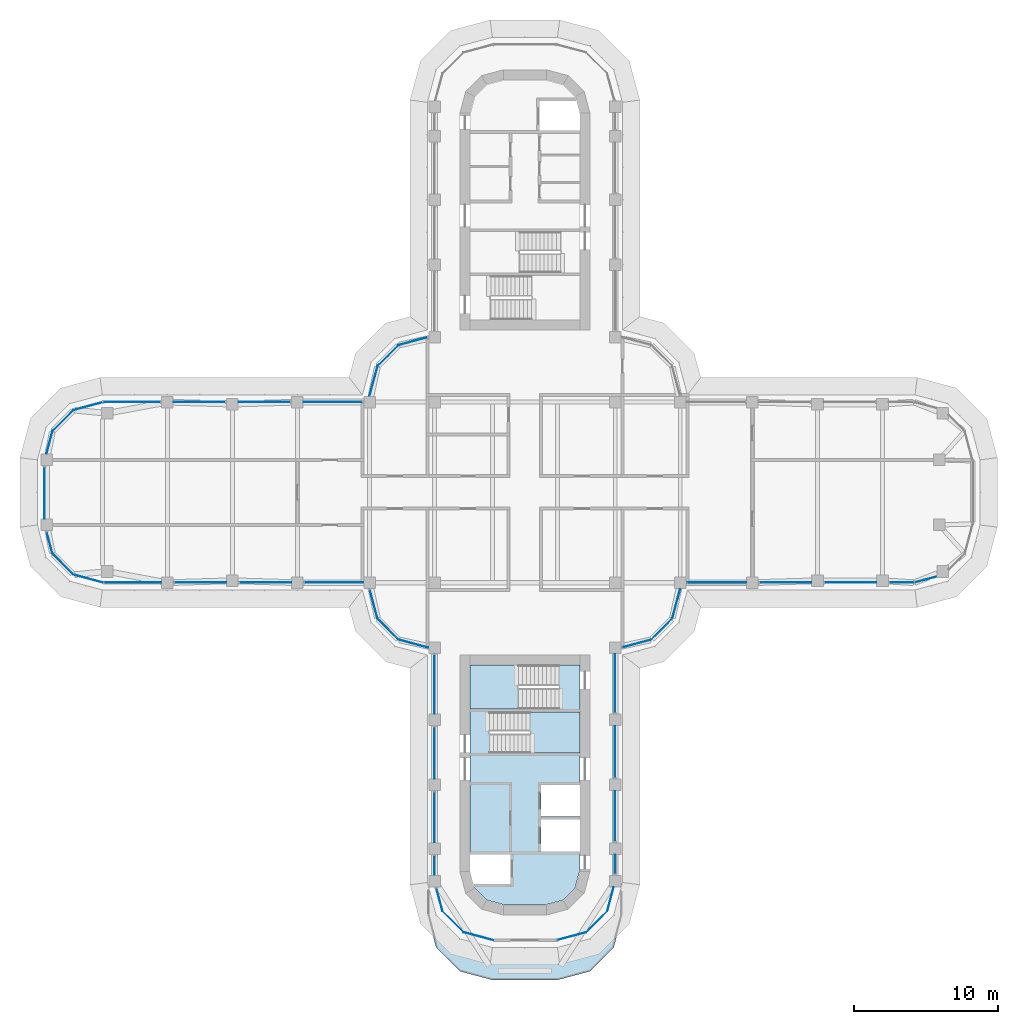
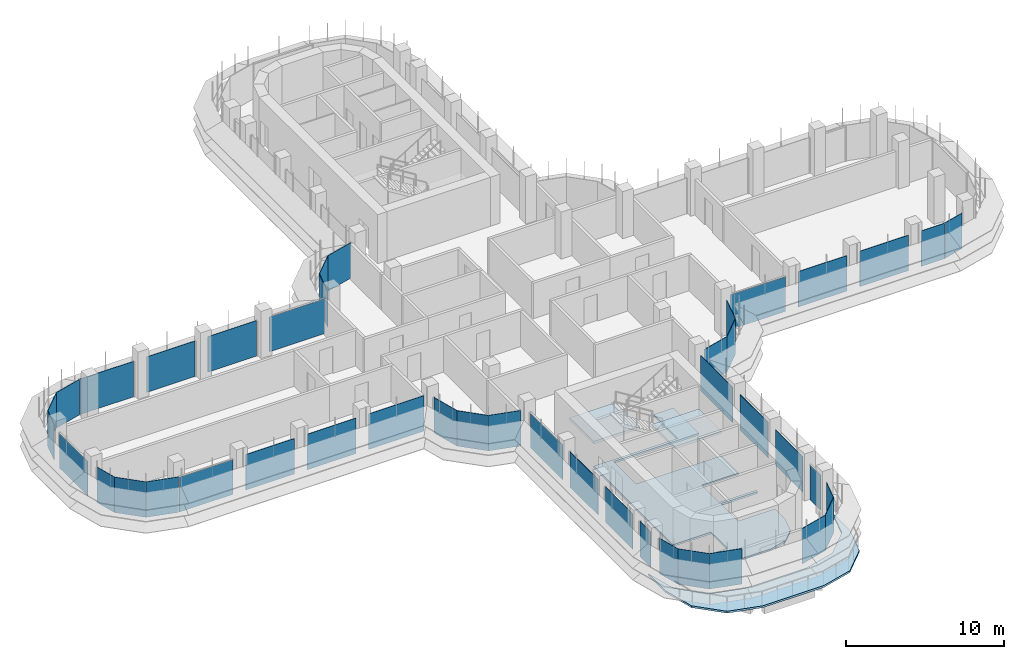
# One storey, part 12 of 20: 43 plates, 4 slabs, 30 elements without a shape of their own.
"""IFC4 building model written with IfcOpenShell, lengths in metres."""

from ifc_helpers import new_model, si_unit, direction, frame, origin, place, context, subcontext, project, spatial, polyline, outline, extrude, source, transform, mapped, material, layer, layer_set, type_object, element, aggregate, save


model = new_model("IFC4")

# Units and contexts
model_context = context("Model", 3, precision=1e-05, world=origin(), true_north=direction((0.0, 1.0)))
body_context = subcontext(model_context, "Body", "Model", "MODEL_VIEW")
ifc_project = project(units=[si_unit("LENGTHUNIT", "METRE"), si_unit("AREAUNIT", "SQUARE_METRE"), si_unit("VOLUMEUNIT", "CUBIC_METRE"), si_unit("PLANEANGLEUNIT", "RADIAN"), si_unit("MASSUNIT", "GRAM", prefix="KILO")], contexts=[model_context])

# Site, building, storey
site_placement = place(None, origin())
site = spatial("IfcSite", under=ifc_project, at=site_placement, CompositionType="ELEMENT")
building_placement = place(site_placement, origin())
building = spatial("IfcBuilding", under=site, at=building_placement, Name="Zarbagh Exchange Tower", CompositionType="ELEMENT")
storey_placement = place(building_placement, frame((0.0, 0.0, 156.199951171875)))
storey = spatial("IfcBuildingStorey", under=building, at=storey_placement, Name="L37", CompositionType="ELEMENT", Elevation=156.199951171875)

# Slab
ifc_material_1 = material(Name="Concrete C40/50", Category="concrete")
ifc_layer_1 = layer(ifc_material_1, 0.14990234375)
ifc_layer_set_1 = layer_set([ifc_layer_1], Name="Core floor slab 150 C40/50")
slab_type_1 = type_object("IfcSlabType", Name="Core floor slab 150 C40/50", PredefinedType="FLOOR", material=ifc_layer_set_1)
slab_1_placement = place(storey_placement, frame((0.0, 0.0, -0.14990234375)))
element("IfcSlab", 1, at=slab_1_placement, inside=storey, type_object=slab_type_1, Name="S17 core S", PredefinedType="FLOOR", context=body_context, shape_type="SweptSolid", body=[
    extrude(outline(polyline([(-2.6376953125, -28.220458984375), (-3.470458984375, -27.3876953125), (-3.800048828125, -26.15771484375), (-3.800048828125, -26.15771484375), (-3.547607421875, -27.10009765625), (-1.0, -27.10009765625), (-1.0, -25.050048828125), (-3.800048828125, -25.050048828125), (-3.800048828125, -15.0), (2.35009765625, -15.0), (2.35009765625, -11.949951171875), (3.800048828125, -11.949951171875), (3.800048828125, -15.199951171875), (-2.449951171875, -15.199951171875), (-2.449951171875, -18.050048828125), (3.800048828125, -18.050048828125), (3.800048828125, -20.25), (1.10009765625, -20.25), (1.10009765625, -22.449951171875), (3.800048828125, -22.449951171875), (3.800048828125, -22.64990234375), (1.10009765625, -22.64990234375), (1.10009765625, -24.85009765625), (3.800048828125, -24.85009765625), (3.800048828125, -26.15771484375), (3.470458984375, -27.3876953125), (2.6376953125, -28.220458984375), (1.40771484375, -28.550048828125), (-1.40771484375, -28.550048828125), (-2.6376953125, -28.220458984375)])), origin(), (0.0, 0.0, 1.0), 0.14990234375),
])

# Stair, slab
stair_type = type_object("IfcStairType", Name="Exit stair two-flight half-turn", PredefinedType="HALF_TURN_STAIR", material=ifc_material_1)
stair_1_placement = place(storey_placement, origin())
stair_1 = element("IfcStair", 2, at=stair_1_placement, inside=storey, type_object=stair_type, Name="exit stair ST3", PredefinedType="HALF_TURN_STAIR")
ifc_layer_2 = layer(ifc_material_1, 0.199951171875)
ifc_layer_set_2 = layer_set([ifc_layer_2], Name="Stair landing 200 mm")
slab_type_2 = type_object("IfcSlabType", Name="Stair landing 200 mm", PredefinedType="LANDING", material=ifc_layer_set_2)
slab_2_placement = place(storey_placement, frame((0.0, 0.0, 1.699951171875)))
slab_2 = element("IfcSlab", 3, at=slab_2_placement, type_object=slab_type_2, Name="ST3 landing 1", PredefinedType="LANDING", context=body_context, shape_type="SweptSolid", body=[
    extrude(outline(polyline([(0.35009765625, -18.050048828125), (3.800048828125, -18.050048828125), (3.800048828125, -15.199951171875), (0.35009765625, -15.199951171875), (0.35009765625, -18.050048828125)])), origin(), (0.0, 0.0, 1.0), 0.2001953125),
])
aggregate(stair_1, [slab_2])

stair_2_placement = place(storey_placement, origin())
stair_2 = element("IfcStair", 4, at=stair_2_placement, inside=storey, type_object=stair_type, Name="exit stair ST4", PredefinedType="HALF_TURN_STAIR")
slab_3_placement = place(storey_placement, frame((0.0, 0.0, 1.699951171875)))
slab_3 = element("IfcSlab", 5, at=slab_3_placement, type_object=slab_type_2, Name="ST4 landing 1", PredefinedType="LANDING", context=body_context, shape_type="SweptSolid", body=[
    extrude(outline(polyline([(-0.449951171875, -11.949951171875), (-3.800048828125, -11.949951171875), (-3.800048828125, -15.0), (-0.449951171875, -15.0), (-0.449951171875, -11.949951171875)])), origin(), (0.0, 0.0, 1.0), 0.2001953125),
])
aggregate(stair_2, [slab_3])

# Slab
ifc_layer_3 = layer(ifc_material_1, 0.14990234375)
ifc_layer_set_3 = layer_set([ifc_layer_3], Name="Step terrace roof slab 150 C40/50")
slab_type_3 = type_object("IfcSlabType", Name="Step terrace roof slab 150 C40/50", PredefinedType="ROOF", material=ifc_layer_set_3)
slab_4_placement = place(storey_placement, frame((0.0, 0.0, -0.14990234375)))
element("IfcSlab", 6, at=slab_4_placement, inside=storey, type_object=slab_type_3, Name="S10 step terrace roof slab", PredefinedType="ROOF", context=body_context, shape_type="SweptSolid", body=[
    extrude(outline(polyline([(-2.25, -33.75), (-4.5, -33.147216796875), (-6.147216796875, -31.5), (-6.75, -29.25), (-6.75, -27.0), (-6.147216796875, -29.25), (-4.5, -30.897216796875), (-2.25, -31.5), (2.25, -31.5), (4.5, -30.897216796875), (6.147216796875, -29.25), (6.75, -27.0), (6.75, -29.25), (6.147216796875, -31.5), (4.5, -33.147216796875), (2.25, -33.75), (-2.25, -33.75)])), origin(), (0.0, 0.0, 1.0), 0.14990234375),
])

# Curtain wall, plate
ifc_material_2 = material(Name="Anodised aluminium frame and glazing", Category="aluminium")
curtain_wall_type = type_object("IfcCurtainWallType", Name="CWB Ribbon glazing, upper zones", PredefinedType="NOTDEFINED", material=ifc_material_2)
curtain_wall_1_placement = place(storey_placement, origin())
curtain_wall_1 = element("IfcCurtainWall", 7, at=curtain_wall_1_placement, inside=storey, type_object=curtain_wall_type, Name="CWB37 curtain wall", PredefinedType="NOTDEFINED")
ifc_material_3 = material(Name="Low-e double glazed unit, 6+12+6 mm")
ifc_layer_4 = layer(ifc_material_3, 0.031982421875)
ifc_layer_set_4 = layer_set([ifc_layer_4], Name="PAB Glazing panel, Low-e double glazed unit, 6+12+6 mm")
plate_type = type_object("IfcPlateType", Name="PAB Glazing panel, Low-e double glazed unit, 6+12+6 mm", PredefinedType="CURTAIN_PANEL", material=ifc_layer_set_4)
shared_shape_1 = source(origin(), body_context, "Body", "SweptSolid", [
    extrude(outline(polyline([(0.0, -0.01611328125), (1.5458984375, -0.01611328125), (1.5458984375, 0.01611328125), (0.0, 0.01611328125), (0.0, -0.01611328125)])), origin(), (0.0, 0.0, 1.0), 2.75),
])
placement = place(storey_placement, origin())
plate_1 = element("IfcPlate", 8, at=placement, type_object=plate_type, Name="CWB37 glazing panel 1.1", PredefinedType="CURTAIN_PANEL", context=body_context, shape_type="MappedRepresentation", body=[
    mapped(shared_shape_1, transform((-33.098876953125, -2.748046875, 0.0), x_axis=(0.258824779902, -0.965924289636, 0.0), y_axis=(0.965924289636, 0.258824779902, 0.0), z_axis=(0.0, 0.0, 1.0))),
])
aggregate(curtain_wall_1, [plate_1])

curtain_wall_2_placement = place(storey_placement, origin())
curtain_wall_2 = element("IfcCurtainWall", 9, at=curtain_wall_2_placement, inside=storey, type_object=curtain_wall_type, Name="CWB50 curtain wall", PredefinedType="NOTDEFINED")
shared_shape_2 = source(origin(), body_context, "Body", "SweptSolid", [
    extrude(outline(polyline([(0.0, -0.01611328125), (2.061279296875, -0.01611328125), (2.061279296875, 0.01611328125), (0.0, 0.01611328125), (0.0, -0.01611328125)])), origin(), (0.0, 0.0, 1.0), 2.75),
])
plate_2 = element("IfcPlate", 10, at=placement, type_object=plate_type, Name="CWB50 glazing panel 1.1", PredefinedType="CURTAIN_PANEL", context=body_context, shape_type="MappedRepresentation", body=[
    mapped(shared_shape_2, transform((4.2412109375, -30.44873046875, 0.0), x_axis=(0.707106781187, 0.707106781187, 0.0), y_axis=(-0.707106781187, 0.707106781187, 0.0), z_axis=(0.0, 0.0, 1.0))),
])
aggregate(curtain_wall_2, [plate_2])

curtain_wall_3_placement = place(storey_placement, origin())
curtain_wall_3 = element("IfcCurtainWall", 11, at=curtain_wall_3_placement, inside=storey, type_object=curtain_wall_type, Name="CWB06 curtain wall", PredefinedType="NOTDEFINED")
plate_3 = element("IfcPlate", 12, at=placement, type_object=plate_type, Name="CWB06 glazing panel 1.1", PredefinedType="CURTAIN_PANEL", context=body_context, shape_type="MappedRepresentation", body=[
    mapped(shared_shape_2, transform((8.7412109375, -10.19873046875, 0.0), x_axis=(0.707106781187, 0.707106781187, 0.0), y_axis=(-0.707106781187, 0.707106781187, 0.0), z_axis=(0.0, 0.0, 1.0))),
])
aggregate(curtain_wall_3, [plate_3])

curtain_wall_4_placement = place(storey_placement, origin())
curtain_wall_4 = element("IfcCurtainWall", 13, at=curtain_wall_4_placement, inside=storey, type_object=curtain_wall_type, Name="CWB30 curtain wall", PredefinedType="NOTDEFINED")
plate_4 = element("IfcPlate", 14, at=placement, type_object=plate_type, Name="CWB30 glazing panel 1.1", PredefinedType="CURTAIN_PANEL", context=body_context, shape_type="MappedRepresentation", body=[
    mapped(shared_shape_2, transform((-8.7412109375, 10.19873046875, 0.0), x_axis=(-0.707106781187, -0.707106781187, 0.0), y_axis=(0.707106781187, -0.707106781187, 0.0), z_axis=(0.0, 0.0, 1.0))),
])
aggregate(curtain_wall_4, [plate_4])

curtain_wall_5_placement = place(storey_placement, origin())
curtain_wall_5 = element("IfcCurtainWall", 15, at=curtain_wall_5_placement, inside=storey, type_object=curtain_wall_type, Name="CWB34 curtain wall", PredefinedType="NOTDEFINED")
plate_5 = element("IfcPlate", 16, at=placement, type_object=plate_type, Name="CWB34 glazing panel 1.1", PredefinedType="CURTAIN_PANEL", context=body_context, shape_type="MappedRepresentation", body=[
    mapped(shared_shape_2, transform((-31.2412109375, 5.69873046875, 0.0), x_axis=(-0.707106781187, -0.707106781187, 0.0), y_axis=(0.707106781187, -0.707106781187, 0.0), z_axis=(0.0, 0.0, 1.0))),
])
aggregate(curtain_wall_5, [plate_5])

curtain_wall_6_placement = place(storey_placement, origin())
curtain_wall_6 = element("IfcCurtainWall", 17, at=curtain_wall_6_placement, inside=storey, type_object=curtain_wall_type, Name="CWB38 curtain wall", PredefinedType="NOTDEFINED")
plate_6 = element("IfcPlate", 18, at=placement, type_object=plate_type, Name="CWB38 glazing panel 1.1", PredefinedType="CURTAIN_PANEL", context=body_context, shape_type="MappedRepresentation", body=[
    mapped(shared_shape_2, transform((-32.69873046875, -4.2412109375, 0.0), x_axis=(0.707106781187, -0.707106781187, 0.0), y_axis=(0.707106781187, 0.707106781187, 0.0), z_axis=(0.0, 0.0, 1.0))),
])
aggregate(curtain_wall_6, [plate_6])

curtain_wall_7_placement = place(storey_placement, origin())
curtain_wall_7 = element("IfcCurtainWall", 19, at=curtain_wall_7_placement, inside=storey, type_object=curtain_wall_type, Name="CWB42 curtain wall", PredefinedType="NOTDEFINED")
plate_7 = element("IfcPlate", 20, at=placement, type_object=plate_type, Name="CWB42 glazing panel 1.1", PredefinedType="CURTAIN_PANEL", context=body_context, shape_type="MappedRepresentation", body=[
    mapped(shared_shape_2, transform((-10.19873046875, -8.7412109375, 0.0), x_axis=(0.707106781187, -0.707106781187, 0.0), y_axis=(0.707106781187, 0.707106781187, 0.0), z_axis=(0.0, 0.0, 1.0))),
])
aggregate(curtain_wall_7, [plate_7])

curtain_wall_8_placement = place(storey_placement, origin())
curtain_wall_8 = element("IfcCurtainWall", 21, at=curtain_wall_8_placement, inside=storey, type_object=curtain_wall_type, Name="CWB55 curtain wall", PredefinedType="NOTDEFINED")
plate_8 = element("IfcPlate", 22, at=placement, type_object=plate_type, Name="CWB55 glazing panel 1.1", PredefinedType="CURTAIN_PANEL", context=body_context, shape_type="MappedRepresentation", body=[
    mapped(shared_shape_2, transform((-5.69873046875, -28.9912109375, 0.0), x_axis=(0.707106781187, -0.707106781187, 0.0), y_axis=(0.707106781187, 0.707106781187, 0.0), z_axis=(0.0, 0.0, 1.0))),
])
aggregate(curtain_wall_8, [plate_8])

curtain_wall_9_placement = place(storey_placement, origin())
curtain_wall_9 = element("IfcCurtainWall", 23, at=curtain_wall_9_placement, inside=storey, type_object=curtain_wall_type, Name="CWB39 curtain wall", PredefinedType="NOTDEFINED")
shared_shape_3 = source(origin(), body_context, "Body", "SweptSolid", [
    extrude(outline(polyline([(0.0, -0.01611328125), (2.129638671875, -0.01611328125), (2.129638671875, 0.01611328125), (0.0, 0.01611328125), (0.0, -0.01611328125)])), origin(), (0.0, 0.0, 1.0), 2.75),
])
plate_9 = element("IfcPlate", 24, at=placement, type_object=plate_type, Name="CWB39 glazing panel 1.1", PredefinedType="CURTAIN_PANEL", context=body_context, shape_type="MappedRepresentation", body=[
    mapped(shared_shape_3, transform((-31.2412109375, -5.69873046875, 0.0), x_axis=(0.965924289636, -0.258824779902, 0.0), y_axis=(0.258824779902, 0.965924289636, 0.0), z_axis=(0.0, 0.0, 1.0))),
])
aggregate(curtain_wall_9, [plate_9])

curtain_wall_10_placement = place(storey_placement, origin())
curtain_wall_10 = element("IfcCurtainWall", 25, at=curtain_wall_10_placement, inside=storey, type_object=curtain_wall_type, Name="CWB56 curtain wall", PredefinedType="NOTDEFINED")
plate_10 = element("IfcPlate", 26, at=placement, type_object=plate_type, Name="CWB56 glazing panel 1.1", PredefinedType="CURTAIN_PANEL", context=body_context, shape_type="MappedRepresentation", body=[
    mapped(shared_shape_3, transform((-4.2412109375, -30.44873046875, 0.0), x_axis=(0.965924289636, -0.258824779902, 0.0), y_axis=(0.258824779902, 0.965924289636, 0.0), z_axis=(0.0, 0.0, 1.0))),
])
aggregate(curtain_wall_10, [plate_10])

curtain_wall_11_placement = place(storey_placement, origin())
curtain_wall_11 = element("IfcCurtainWall", 27, at=curtain_wall_11_placement, inside=storey, type_object=curtain_wall_type, Name="CWB53 curtain wall", PredefinedType="NOTDEFINED")
shared_shape_4 = source(origin(), body_context, "Body", "SweptSolid", [
    extrude(outline(polyline([(0.0, -0.01611328125), (1.31005859375, -0.01611328125), (1.31005859375, 0.01611328125), (0.0, 0.01611328125), (0.0, -0.01611328125)])), origin(), (0.0, 0.0, 1.0), 2.75),
])
plate_11 = element("IfcPlate", 28, at=placement, type_object=plate_type, Name="CWB53 glazing panel 4.1", PredefinedType="CURTAIN_PANEL", context=body_context, shape_type="MappedRepresentation", body=[
    mapped(shared_shape_4, transform((-6.25, -25.150146484375, 0.0), x_axis=(0.0, -1.0, 0.0), y_axis=(1.0, 0.0, 0.0), z_axis=(0.0, 0.0, 1.0))),
])

curtain_wall_12_placement = place(storey_placement, origin())
curtain_wall_12 = element("IfcCurtainWall", 29, at=curtain_wall_12_placement, inside=storey, type_object=curtain_wall_type, Name="CWB52 curtain wall", PredefinedType="NOTDEFINED")
shared_shape_5 = source(origin(), body_context, "Body", "SweptSolid", [
    extrude(outline(polyline([(0.0, -0.01611328125), (3.4599609375, -0.01611328125), (3.4599609375, 0.01611328125), (0.0, 0.01611328125), (0.0, -0.01611328125)])), origin(), (0.0, 0.0, 1.0), 2.75),
])
plate_12 = element("IfcPlate", 30, at=placement, type_object=plate_type, Name="CWB52 glazing panel 2.1", PredefinedType="CURTAIN_PANEL", context=body_context, shape_type="MappedRepresentation", body=[
    mapped(shared_shape_5, transform((6.25, -24.14990234375, 0.0), x_axis=(0.0, 1.0, 0.0), y_axis=(-1.0, 0.0, 0.0), z_axis=(0.0, 0.0, 1.0))),
])

# Plate
plate_13 = element("IfcPlate", 31, at=placement, type_object=plate_type, Name="CWB53 glazing panel 3.1", PredefinedType="CURTAIN_PANEL", context=body_context, shape_type="MappedRepresentation", body=[
    mapped(shared_shape_5, transform((-6.25, -20.75, 0.0), x_axis=(0.0, -1.0, 0.0), y_axis=(1.0, 0.0, 0.0), z_axis=(0.0, 0.0, 1.0))),
])

shared_shape_6 = source(origin(), body_context, "Body", "SweptSolid", [
    extrude(outline(polyline([(0.0, -0.01611328125), (3.56005859375, -0.01611328125), (3.56005859375, 0.01611328125), (0.0, 0.01611328125), (0.0, -0.01611328125)])), origin(), (0.0, 0.0, 1.0), 2.75),
])
plate_14 = element("IfcPlate", 32, at=placement, type_object=plate_type, Name="CWB52 glazing panel 3.1", PredefinedType="CURTAIN_PANEL", context=body_context, shape_type="MappedRepresentation", body=[
    mapped(shared_shape_6, transform((6.25, -19.75, 0.0), x_axis=(0.0, 1.0, 0.0), y_axis=(-1.0, 0.0, 0.0), z_axis=(0.0, 0.0, 1.0))),
])

# Curtain wall, plates
curtain_wall_13_placement = place(storey_placement, origin())
curtain_wall_13 = element("IfcCurtainWall", 33, at=curtain_wall_13_placement, inside=storey, type_object=curtain_wall_type, Name="CWB08 curtain wall", PredefinedType="NOTDEFINED")
plate_15 = element("IfcPlate", 34, at=placement, type_object=plate_type, Name="CWB08 glazing panel 2.1", PredefinedType="CURTAIN_PANEL", context=body_context, shape_type="MappedRepresentation", body=[
    mapped(shared_shape_6, transform((16.25, -6.25, 0.0), x_axis=(1.0, 0.0, 0.0), y_axis=(0.0, 1.0, 0.0), z_axis=(0.0, 0.0, 1.0))),
])
plate_16 = element("IfcPlate", 35, at=placement, type_object=plate_type, Name="CWB08 glazing panel 3.1", PredefinedType="CURTAIN_PANEL", context=body_context, shape_type="MappedRepresentation", body=[
    mapped(shared_shape_6, transform((20.75, -6.25, 0.0), x_axis=(1.0, 0.0, 0.0), y_axis=(0.0, 1.0, 0.0), z_axis=(0.0, 0.0, 1.0))),
])

curtain_wall_14_placement = place(storey_placement, origin())
curtain_wall_14 = element("IfcCurtainWall", 36, at=curtain_wall_14_placement, inside=storey, type_object=curtain_wall_type, Name="CWB32 curtain wall", PredefinedType="NOTDEFINED")
plate_17 = element("IfcPlate", 37, at=placement, type_object=plate_type, Name="CWB32 glazing panel 2.1", PredefinedType="CURTAIN_PANEL", context=body_context, shape_type="MappedRepresentation", body=[
    mapped(shared_shape_6, transform((-16.25, 6.25, 0.0), x_axis=(-1.0, 0.0, 0.0), y_axis=(0.0, -1.0, 0.0), z_axis=(0.0, 0.0, 1.0))),
])
plate_18 = element("IfcPlate", 38, at=placement, type_object=plate_type, Name="CWB32 glazing panel 3.1", PredefinedType="CURTAIN_PANEL", context=body_context, shape_type="MappedRepresentation", body=[
    mapped(shared_shape_6, transform((-20.75, 6.25, 0.0), x_axis=(-1.0, 0.0, 0.0), y_axis=(0.0, -1.0, 0.0), z_axis=(0.0, 0.0, 1.0))),
])

curtain_wall_15_placement = place(storey_placement, origin())
curtain_wall_15 = element("IfcCurtainWall", 39, at=curtain_wall_15_placement, inside=storey, type_object=curtain_wall_type, Name="CWB40 curtain wall", PredefinedType="NOTDEFINED")
plate_19 = element("IfcPlate", 40, at=placement, type_object=plate_type, Name="CWB40 glazing panel 2.1", PredefinedType="CURTAIN_PANEL", context=body_context, shape_type="MappedRepresentation", body=[
    mapped(shared_shape_6, transform((-24.25, -6.25, 0.0), x_axis=(1.0, 0.0, 0.0), y_axis=(0.0, 1.0, 0.0), z_axis=(0.0, 0.0, 1.0))),
])
plate_20 = element("IfcPlate", 41, at=placement, type_object=plate_type, Name="CWB40 glazing panel 3.1", PredefinedType="CURTAIN_PANEL", context=body_context, shape_type="MappedRepresentation", body=[
    mapped(shared_shape_6, transform((-19.75, -6.25, 0.0), x_axis=(1.0, 0.0, 0.0), y_axis=(0.0, 1.0, 0.0), z_axis=(0.0, 0.0, 1.0))),
])

# Plate
plate_21 = element("IfcPlate", 42, at=placement, type_object=plate_type, Name="CWB53 glazing panel 2.1", PredefinedType="CURTAIN_PANEL", context=body_context, shape_type="MappedRepresentation", body=[
    mapped(shared_shape_6, transform((-6.25, -16.25, 0.0), x_axis=(0.0, -1.0, 0.0), y_axis=(1.0, 0.0, 0.0), z_axis=(0.0, 0.0, 1.0))),
])

shared_shape_7 = source(origin(), body_context, "Body", "SweptSolid", [
    extrude(outline(polyline([(0.0, -0.01611328125), (4.06005859375, -0.01611328125), (4.06005859375, 0.01611328125), (0.0, 0.01611328125), (0.0, -0.01611328125)])), origin(), (0.0, 0.0, 1.0), 2.75),
])
plate_22 = element("IfcPlate", 43, at=placement, type_object=plate_type, Name="CWB52 glazing panel 4.1", PredefinedType="CURTAIN_PANEL", context=body_context, shape_type="MappedRepresentation", body=[
    mapped(shared_shape_7, transform((6.25, -15.25, 0.0), x_axis=(0.0, 1.0, 0.0), y_axis=(-1.0, 0.0, 0.0), z_axis=(0.0, 0.0, 1.0))),
])

plate_23 = element("IfcPlate", 44, at=placement, type_object=plate_type, Name="CWB40 glazing panel 4.1", PredefinedType="CURTAIN_PANEL", context=body_context, shape_type="MappedRepresentation", body=[
    mapped(shared_shape_7, transform((-15.25, -6.25, 0.0), x_axis=(1.0, 0.0, 0.0), y_axis=(0.0, 1.0, 0.0), z_axis=(0.0, 0.0, 1.0))),
])

# Curtain wall, plate
curtain_wall_16_placement = place(storey_placement, origin())
curtain_wall_16 = element("IfcCurtainWall", 45, at=curtain_wall_16_placement, inside=storey, type_object=curtain_wall_type, Name="CWB05 curtain wall", PredefinedType="NOTDEFINED")
shared_shape_8 = source(origin(), body_context, "Body", "SweptSolid", [
    extrude(outline(polyline([(0.0, -0.01611328125), (2.063720703125, -0.01611328125), (2.063720703125, 0.01611328125), (0.0, 0.01611328125), (0.0, -0.01611328125)])), origin(), (0.0, 0.0, 1.0), 2.75),
])
plate_24 = element("IfcPlate", 46, at=placement, type_object=plate_type, Name="CWB05 glazing panel 1.1", PredefinedType="CURTAIN_PANEL", context=body_context, shape_type="MappedRepresentation", body=[
    mapped(shared_shape_8, transform((6.748046875, -10.73291015625, 0.0), x_axis=(0.965924289636, 0.258824779902, 0.0), y_axis=(-0.258824779902, 0.965924289636, 0.0), z_axis=(0.0, 0.0, 1.0))),
])
aggregate(curtain_wall_16, [plate_24])

curtain_wall_17_placement = place(storey_placement, origin())
curtain_wall_17 = element("IfcCurtainWall", 47, at=curtain_wall_17_placement, inside=storey, type_object=curtain_wall_type, Name="CWB29 curtain wall", PredefinedType="NOTDEFINED")
plate_25 = element("IfcPlate", 48, at=placement, type_object=plate_type, Name="CWB29 glazing panel 1.1", PredefinedType="CURTAIN_PANEL", context=body_context, shape_type="MappedRepresentation", body=[
    mapped(shared_shape_8, transform((-6.748046875, 10.73291015625, 0.0), x_axis=(-0.965924289636, -0.258824779902, 0.0), y_axis=(0.258824779902, -0.965924289636, 0.0), z_axis=(0.0, 0.0, 1.0))),
])
aggregate(curtain_wall_17, [plate_25])

curtain_wall_18_placement = place(storey_placement, origin())
curtain_wall_18 = element("IfcCurtainWall", 49, at=curtain_wall_18_placement, inside=storey, type_object=curtain_wall_type, Name="CWB41 curtain wall", PredefinedType="NOTDEFINED")
plate_26 = element("IfcPlate", 50, at=placement, type_object=plate_type, Name="CWB41 glazing panel 1.1", PredefinedType="CURTAIN_PANEL", context=body_context, shape_type="MappedRepresentation", body=[
    mapped(shared_shape_8, transform((-10.73291015625, -6.748046875, 0.0), x_axis=(0.258824779902, -0.965924289636, 0.0), y_axis=(0.965924289636, 0.258824779902, 0.0), z_axis=(0.0, 0.0, 1.0))),
])
aggregate(curtain_wall_18, [plate_26])

curtain_wall_19_placement = place(storey_placement, origin())
curtain_wall_19 = element("IfcCurtainWall", 51, at=curtain_wall_19_placement, inside=storey, type_object=curtain_wall_type, Name="CWB07 curtain wall", PredefinedType="NOTDEFINED")
shared_shape_9 = source(origin(), body_context, "Body", "SweptSolid", [
    extrude(outline(polyline([(0.0, -0.01611328125), (2.12353515625, -0.01611328125), (2.12353515625, 0.01611328125), (0.0, 0.01611328125), (0.0, -0.01611328125)])), origin(), (0.0, 0.0, 1.0), 2.75),
])
plate_27 = element("IfcPlate", 52, at=placement, type_object=plate_type, Name="CWB07 glazing panel 1.1", PredefinedType="CURTAIN_PANEL", context=body_context, shape_type="MappedRepresentation", body=[
    mapped(shared_shape_9, transform((10.19873046875, -8.7412109375, 0.0), x_axis=(0.258824779902, 0.965924289636, 0.0), y_axis=(-0.965924289636, 0.258824779902, 0.0), z_axis=(0.0, 0.0, 1.0))),
])
aggregate(curtain_wall_19, [plate_27])

curtain_wall_20_placement = place(storey_placement, origin())
curtain_wall_20 = element("IfcCurtainWall", 53, at=curtain_wall_20_placement, inside=storey, type_object=curtain_wall_type, Name="CWB31 curtain wall", PredefinedType="NOTDEFINED")
plate_28 = element("IfcPlate", 54, at=placement, type_object=plate_type, Name="CWB31 glazing panel 1.1", PredefinedType="CURTAIN_PANEL", context=body_context, shape_type="MappedRepresentation", body=[
    mapped(shared_shape_9, transform((-10.19873046875, 8.7412109375, 0.0), x_axis=(-0.258824779902, -0.965924289636, 0.0), y_axis=(0.965924289636, -0.258824779902, 0.0), z_axis=(0.0, 0.0, 1.0))),
])
aggregate(curtain_wall_20, [plate_28])

curtain_wall_21_placement = place(storey_placement, origin())
curtain_wall_21 = element("IfcCurtainWall", 55, at=curtain_wall_21_placement, inside=storey, type_object=curtain_wall_type, Name="CWB43 curtain wall", PredefinedType="NOTDEFINED")
plate_29 = element("IfcPlate", 56, at=placement, type_object=plate_type, Name="CWB43 glazing panel 1.1", PredefinedType="CURTAIN_PANEL", context=body_context, shape_type="MappedRepresentation", body=[
    mapped(shared_shape_9, transform((-8.7412109375, -10.19873046875, 0.0), x_axis=(0.965924289636, -0.258824779902, 0.0), y_axis=(0.258824779902, 0.965924289636, 0.0), z_axis=(0.0, 0.0, 1.0))),
])
aggregate(curtain_wall_21, [plate_29])

# Plate
shared_shape_10 = source(origin(), body_context, "Body", "SweptSolid", [
    extrude(outline(polyline([(0.0, -0.01611328125), (4.06005859375, -0.01611328125), (4.06005859375, 0.01611328125), (0.0, 0.01611328125), (0.0, -0.01611328125)])), origin(), (0.0, 0.0, 1.0), 2.68994140625),
])
plate_30 = element("IfcPlate", 57, at=placement, type_object=plate_type, Name="CWB08 glazing panel 1.1", PredefinedType="CURTAIN_PANEL", context=body_context, shape_type="MappedRepresentation", body=[
    mapped(shared_shape_10, transform((11.25, -6.25, 0.0), x_axis=(1.0, 0.0, 0.0), y_axis=(0.0, 1.0, 0.0), z_axis=(0.0, 0.0, 1.0))),
])

plate_31 = element("IfcPlate", 58, at=placement, type_object=plate_type, Name="CWB32 glazing panel 1.1", PredefinedType="CURTAIN_PANEL", context=body_context, shape_type="MappedRepresentation", body=[
    mapped(shared_shape_10, transform((-11.25, 6.25, 0.0), x_axis=(-1.0, 0.0, 0.0), y_axis=(0.0, -1.0, 0.0), z_axis=(0.0, 0.0, 1.0))),
])

plate_32 = element("IfcPlate", 59, at=placement, type_object=plate_type, Name="CWB53 glazing panel 1.1", PredefinedType="CURTAIN_PANEL", context=body_context, shape_type="MappedRepresentation", body=[
    mapped(shared_shape_10, transform((-6.25, -11.25, 0.0), x_axis=(0.0, -1.0, 0.0), y_axis=(1.0, 0.0, 0.0), z_axis=(0.0, 0.0, 1.0))),
])

aggregate(curtain_wall_11, [plate_32, plate_21, plate_13, plate_11])

shared_shape_11 = source(origin(), body_context, "Body", "SweptSolid", [
    extrude(outline(polyline([(0.0, -0.01611328125), (1.68408203125, -0.01611328125), (1.68408203125, 0.01611328125), (0.0, 0.01611328125), (0.0, -0.01611328125)])), origin(), (0.0, 0.0, 1.0), 2.75),
])
plate_33 = element("IfcPlate", 60, at=placement, type_object=plate_type, Name="CWB08 glazing panel 4.1", PredefinedType="CURTAIN_PANEL", context=body_context, shape_type="MappedRepresentation", body=[
    mapped(shared_shape_11, transform((25.25, -6.25, 0.0), x_axis=(1.0, 0.0, 0.0), y_axis=(0.0, 1.0, 0.0), z_axis=(0.0, 0.0, 1.0))),
])

aggregate(curtain_wall_13, [plate_30, plate_15, plate_16, plate_33])

# Curtain wall, plate
curtain_wall_22_placement = place(storey_placement, origin())
curtain_wall_22 = element("IfcCurtainWall", 61, at=curtain_wall_22_placement, inside=storey, type_object=curtain_wall_type, Name="CWB09 curtain wall", PredefinedType="NOTDEFINED")
shared_shape_12 = source(origin(), body_context, "Body", "SweptSolid", [
    extrude(outline(polyline([(0.0, -0.01611328125), (1.52783203125, -0.01611328125), (1.52783203125, 0.01611328125), (0.0, 0.01611328125), (0.0, -0.01611328125)])), origin(), (0.0, 0.0, 1.0), 2.75),
])
plate_34 = element("IfcPlate", 62, at=placement, type_object=plate_type, Name="CWB09 glazing panel 1.1", PredefinedType="CURTAIN_PANEL", context=body_context, shape_type="MappedRepresentation", body=[
    mapped(shared_shape_12, transform((26.9921875, -6.234375, 0.0), x_axis=(0.965924289636, 0.258824779902, 0.0), y_axis=(-0.258824779902, 0.965924289636, 0.0), z_axis=(0.0, 0.0, 1.0))),
])
aggregate(curtain_wall_22, [plate_34])

curtain_wall_23_placement = place(storey_placement, origin())
curtain_wall_23 = element("IfcCurtainWall", 63, at=curtain_wall_23_placement, inside=storey, type_object=curtain_wall_type, Name="CWB49 curtain wall", PredefinedType="NOTDEFINED")
shared_shape_13 = source(origin(), body_context, "Body", "SweptSolid", [
    extrude(outline(polyline([(0.0, -0.01611328125), (2.069580078125, -0.01611328125), (2.069580078125, 0.01611328125), (0.0, 0.01611328125), (0.0, -0.01611328125)])), origin(), (0.0, 0.0, 1.0), 2.75),
])
plate_35 = element("IfcPlate", 64, at=placement, type_object=plate_type, Name="CWB49 glazing panel 1.1", PredefinedType="CURTAIN_PANEL", context=body_context, shape_type="MappedRepresentation", body=[
    mapped(shared_shape_13, transform((2.2421875, -30.984375, 0.0), x_axis=(0.965924289636, 0.258824779902, 0.0), y_axis=(-0.258824779902, 0.965924289636, 0.0), z_axis=(0.0, 0.0, 1.0))),
])
aggregate(curtain_wall_23, [plate_35])

curtain_wall_24_placement = place(storey_placement, origin())
curtain_wall_24 = element("IfcCurtainWall", 65, at=curtain_wall_24_placement, inside=storey, type_object=curtain_wall_type, Name="CWB33 curtain wall", PredefinedType="NOTDEFINED")
plate_36 = element("IfcPlate", 66, at=placement, type_object=plate_type, Name="CWB33 glazing panel 1.1", PredefinedType="CURTAIN_PANEL", context=body_context, shape_type="MappedRepresentation", body=[
    mapped(shared_shape_13, transform((-29.2421875, 6.234375, 0.0), x_axis=(-0.965924289636, -0.258824779902, 0.0), y_axis=(0.258824779902, -0.965924289636, 0.0), z_axis=(0.0, 0.0, 1.0))),
])
aggregate(curtain_wall_24, [plate_36])

# Plate
shared_shape_14 = source(origin(), body_context, "Body", "SweptSolid", [
    extrude(outline(polyline([(0.0, -0.01611328125), (3.93408203125, -0.01611328125), (3.93408203125, 0.01611328125), (0.0, 0.01611328125), (0.0, -0.01611328125)])), origin(), (0.0, 0.0, 1.0), 2.75),
])
plate_37 = element("IfcPlate", 67, at=placement, type_object=plate_type, Name="CWB32 glazing panel 4.1", PredefinedType="CURTAIN_PANEL", context=body_context, shape_type="MappedRepresentation", body=[
    mapped(shared_shape_14, transform((-25.25, 6.25, 0.0), x_axis=(-1.0, 0.0, 0.0), y_axis=(0.0, -1.0, 0.0), z_axis=(0.0, 0.0, 1.0))),
])

aggregate(curtain_wall_14, [plate_31, plate_17, plate_18, plate_37])

# Curtain wall, plate
curtain_wall_25_placement = place(storey_placement, origin())
curtain_wall_25 = element("IfcCurtainWall", 68, at=curtain_wall_25_placement, inside=storey, type_object=curtain_wall_type, Name="CWB35 curtain wall", PredefinedType="NOTDEFINED")
shared_shape_15 = source(origin(), body_context, "Body", "SweptSolid", [
    extrude(outline(polyline([(0.0, -0.01611328125), (1.60595703125, -0.01611328125), (1.60595703125, 0.01611328125), (0.0, 0.01611328125), (0.0, -0.01611328125)])), origin(), (0.0, 0.0, 1.0), 2.75),
])
plate_38 = element("IfcPlate", 69, at=placement, type_object=plate_type, Name="CWB35 glazing panel 1.1", PredefinedType="CURTAIN_PANEL", context=body_context, shape_type="MappedRepresentation", body=[
    mapped(shared_shape_15, transform((-32.69873046875, 4.2412109375, 0.0), x_axis=(-0.258824779902, -0.965924289636, 0.0), y_axis=(0.965924289636, -0.258824779902, 0.0), z_axis=(0.0, 0.0, 1.0))),
])
aggregate(curtain_wall_25, [plate_38])

curtain_wall_26_placement = place(storey_placement, origin())
curtain_wall_26 = element("IfcCurtainWall", 70, at=curtain_wall_26_placement, inside=storey, type_object=curtain_wall_type, Name="CWB36 curtain wall", PredefinedType="NOTDEFINED")
shared_shape_16 = source(origin(), body_context, "Body", "SweptSolid", [
    extrude(outline(polyline([(0.0, -0.01611328125), (3.56005859375, -0.01611328125), (3.56005859375, 0.01611328125), (0.0, 0.01611328125), (0.0, -0.01611328125)])), origin(), (0.0, 0.0, 1.0), 2.68994140625),
])
plate_39 = element("IfcPlate", 71, at=placement, type_object=plate_type, Name="CWB36 glazing panel 1.1", PredefinedType="CURTAIN_PANEL", context=body_context, shape_type="MappedRepresentation", body=[
    mapped(shared_shape_16, transform((-33.25, 1.75, 0.0), x_axis=(0.0, -1.0, 0.0), y_axis=(1.0, 0.0, 0.0), z_axis=(0.0, 0.0, 1.0))),
])
aggregate(curtain_wall_26, [plate_39])

# Plate
shared_shape_17 = source(origin(), body_context, "Body", "SweptSolid", [
    extrude(outline(polyline([(0.0, -0.01611328125), (3.93408203125, -0.01611328125), (3.93408203125, 0.01611328125), (0.0, 0.01611328125), (0.0, -0.01611328125)])), origin(), (0.0, 0.0, 1.0), 2.68994140625),
])
plate_40 = element("IfcPlate", 72, at=placement, type_object=plate_type, Name="CWB40 glazing panel 1.1", PredefinedType="CURTAIN_PANEL", context=body_context, shape_type="MappedRepresentation", body=[
    mapped(shared_shape_17, transform((-29.124267578125, -6.25, 0.0), x_axis=(1.0, 0.0, 0.0), y_axis=(0.0, 1.0, 0.0), z_axis=(0.0, 0.0, 1.0))),
])

aggregate(curtain_wall_15, [plate_40, plate_19, plate_20, plate_23])

# Curtain wall, plate
curtain_wall_27_placement = place(storey_placement, origin())
curtain_wall_27 = element("IfcCurtainWall", 73, at=curtain_wall_27_placement, inside=storey, type_object=curtain_wall_type, Name="CWB51 curtain wall", PredefinedType="NOTDEFINED")
shared_shape_18 = source(origin(), body_context, "Body", "SweptSolid", [
    extrude(outline(polyline([(0.0, -0.01611328125), (1.70947265625, -0.01611328125), (1.70947265625, 0.01611328125), (0.0, 0.01611328125), (0.0, -0.01611328125)])), origin(), (0.0, 0.0, 1.0), 2.75),
])
plate_41 = element("IfcPlate", 74, at=placement, type_object=plate_type, Name="CWB51 glazing panel 1.1", PredefinedType="CURTAIN_PANEL", context=body_context, shape_type="MappedRepresentation", body=[
    mapped(shared_shape_18, transform((5.69873046875, -28.9912109375, 0.0), x_axis=(0.258824779902, 0.965924289636, 0.0), y_axis=(-0.965924289636, 0.258824779902, 0.0), z_axis=(0.0, 0.0, 1.0))),
])
aggregate(curtain_wall_27, [plate_41])

# Plate
shared_shape_19 = source(origin(), body_context, "Body", "SweptSolid", [
    extrude(outline(polyline([(0.0, -0.01611328125), (1.31005859375, -0.01611328125), (1.31005859375, 0.01611328125), (0.0, 0.01611328125), (0.0, -0.01611328125)])), origin(), (0.0, 0.0, 1.0), 2.68994140625),
])
plate_42 = element("IfcPlate", 75, at=placement, type_object=plate_type, Name="CWB52 glazing panel 1.1", PredefinedType="CURTAIN_PANEL", context=body_context, shape_type="MappedRepresentation", body=[
    mapped(shared_shape_19, transform((6.25, -26.39990234375, 0.0), x_axis=(0.0, 1.0, 0.0), y_axis=(-1.0, 0.0, 0.0), z_axis=(0.0, 0.0, 1.0))),
])

aggregate(curtain_wall_12, [plate_42, plate_12, plate_14, plate_22])

# Curtain wall, plate
curtain_wall_28_placement = place(storey_placement, origin())
curtain_wall_28 = element("IfcCurtainWall", 76, at=curtain_wall_28_placement, inside=storey, type_object=curtain_wall_type, Name="CWB54 curtain wall", PredefinedType="NOTDEFINED")
shared_shape_20 = source(origin(), body_context, "Body", "SweptSolid", [
    extrude(outline(polyline([(0.0, -0.01611328125), (1.6494140625, -0.01611328125), (1.6494140625, 0.01611328125), (0.0, 0.01611328125), (0.0, -0.01611328125)])), origin(), (0.0, 0.0, 1.0), 2.75),
])
plate_43 = element("IfcPlate", 77, at=placement, type_object=plate_type, Name="CWB54 glazing panel 1.1", PredefinedType="CURTAIN_PANEL", context=body_context, shape_type="MappedRepresentation", body=[
    mapped(shared_shape_20, transform((-6.125732421875, -27.39794921875, 0.0), x_axis=(0.258824779902, -0.965924289636, 0.0), y_axis=(0.965924289636, 0.258824779902, 0.0), z_axis=(0.0, 0.0, 1.0))),
])
aggregate(curtain_wall_28, [plate_43])

save(model, "model.ifc")
